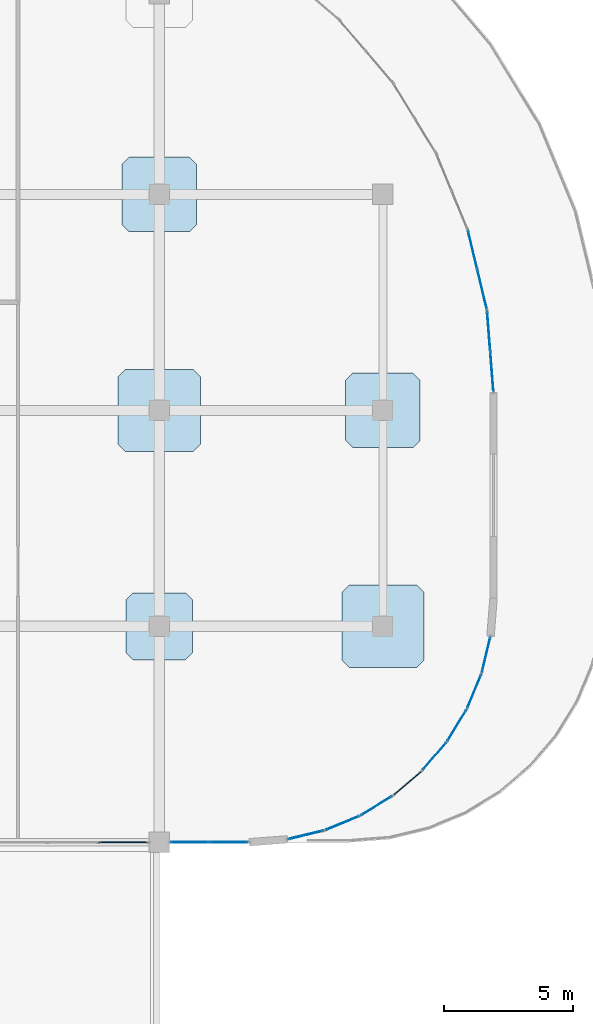
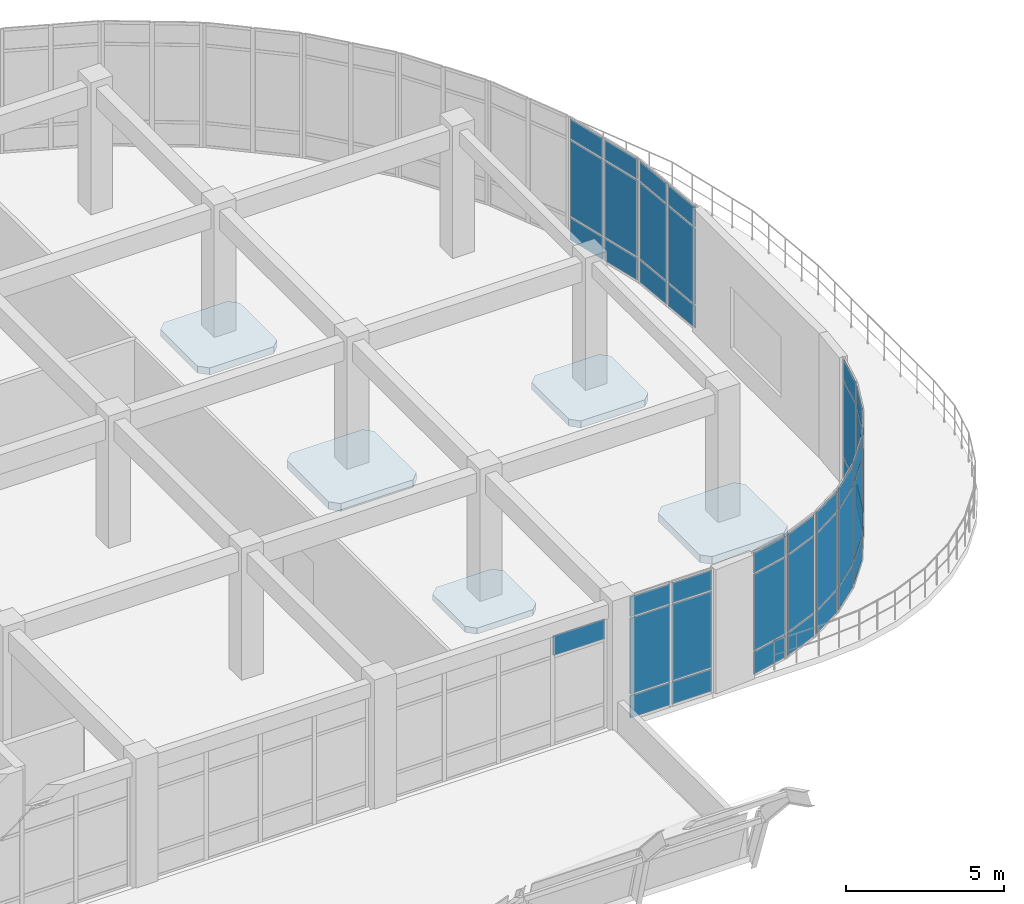
# One storey, part 102 of 124: 43 plates, 5 slabs, 12 elements without a shape of their own.
"""IFC4 building model written with IfcOpenShell, lengths in metres."""

from ifc_helpers import new_model, si_unit, derived_unit, direction, frame, origin, origin_2d, place, context, subcontext, project, spatial, polyline, rectangle, outline, extrude, material, layer, layer_set, type_object, element, aggregate, save


model = new_model("IFC4")

# Units and contexts
model_context = context("Model", 3, precision=1e-05, world=origin(), true_north=direction((0.0, 1.0)))
body_context = subcontext(model_context, "Body", "Model", "MODEL_VIEW")
ifc_project = project(units=[si_unit("LENGTHUNIT", "METRE"), si_unit("AREAUNIT", "SQUARE_METRE"), si_unit("VOLUMEUNIT", "CUBIC_METRE"), si_unit("PLANEANGLEUNIT", "RADIAN"), si_unit("MASSUNIT", "GRAM", prefix="KILO"), derived_unit("THERMALTRANSMITTANCEUNIT", [(si_unit("MASSUNIT", "GRAM", prefix="KILO"), 1), (si_unit("TIMEUNIT", "SECOND"), -3), (si_unit("THERMODYNAMICTEMPERATUREUNIT", "KELVIN"), -1)])], contexts=[model_context])

# Site, building, storey
site_placement = place(None, origin())
site = spatial("IfcSite", under=ifc_project, at=site_placement, CompositionType="ELEMENT")
building_placement = place(site_placement, origin())
building = spatial("IfcBuilding", under=site, at=building_placement, Name="Qinzheling Arcade Emporium", CompositionType="ELEMENT")
storey_placement = place(building_placement, frame((0.0, 0.0, 16.5)))
storey = spatial("IfcBuildingStorey", under=building, at=storey_placement, Name="L04", CompositionType="ELEMENT", Elevation=16.5)

# Slabs
ifc_material_1 = material(Name="Concrete C40", Category="concrete")
ifc_layer_1 = layer(ifc_material_1, 0.235107421875, Name="Concrete C40", Category="concrete")
ifc_layer_set_1 = layer_set([ifc_layer_1], Name="Concrete C40")
slab_type_1 = type_object("IfcSlabType", Name="Column Head Drop Panel 2600x2600x235 C40", PredefinedType="USERDEFINED", material=ifc_layer_set_1)
slab_1_placement = place(storey_placement, frame((0.0, 0.0, -0.5)))
element("IfcSlab", 1, at=slab_1_placement, inside=storey, type_object=slab_type_1, Name="Column Drop Panel DP-L04-16-K", ObjectType="DROP_PANEL", PredefinedType="USERDEFINED", context=body_context, shape_type="SweptSolid", body=[
    extrude(outline(polyline([(129.47998046875, 80.89990234375), (131.52001953125, 80.89990234375), (131.800048828125, 81.179931640625), (131.800048828125, 83.219970703125), (131.52001953125, 83.5), (129.47998046875, 83.5), (129.199951171875, 83.219970703125), (129.199951171875, 81.179931640625), (129.47998046875, 80.89990234375)])), origin(), (0.0, 0.0, 1.0), 0.235107421875),
])
ifc_layer_2 = layer(ifc_material_1, 0.27001953125, Name="Concrete C40", Category="concrete")
ifc_layer_set_2 = layer_set([ifc_layer_2], Name="Concrete C40")
slab_type_2 = type_object("IfcSlabType", Name="Column Head Drop Panel 2900x2900x270 C40", PredefinedType="USERDEFINED", material=ifc_layer_set_2)
slab_2_placement = place(storey_placement, frame((0.0, 0.0, -0.534912109375)))
element("IfcSlab", 2, at=slab_2_placement, inside=storey, type_object=slab_type_2, Name="Column Drop Panel DP-L04-16-M", ObjectType="DROP_PANEL", PredefinedType="USERDEFINED", context=body_context, shape_type="SweptSolid", body=[
    extrude(outline(polyline([(129.330078125, 97.550048828125), (131.669921875, 97.550048828125), (131.949951171875, 97.830078125), (131.949951171875, 100.169921875), (131.669921875, 100.449951171875), (129.330078125, 100.449951171875), (129.050048828125, 100.169921875), (129.050048828125, 97.830078125), (129.330078125, 97.550048828125)])), origin(), (0.0, 0.0, 1.0), 0.27001953125),
])
slab_3_placement = place(storey_placement, frame((0.0, 0.0, -0.534912109375)))
element("IfcSlab", 3, at=slab_3_placement, inside=storey, type_object=slab_type_2, Name="Column Drop Panel DP-L04-17-L", ObjectType="DROP_PANEL", PredefinedType="USERDEFINED", context=body_context, shape_type="SweptSolid", body=[
    extrude(outline(polyline([(138.030029296875, 89.14990234375), (140.3701171875, 89.14990234375), (140.64990234375, 89.429931640625), (140.64990234375, 91.77001953125), (140.3701171875, 92.050048828125), (138.030029296875, 92.050048828125), (137.75, 91.77001953125), (137.75, 89.429931640625), (138.030029296875, 89.14990234375)])), origin(), (0.0, 0.0, 1.0), 0.27001953125),
])
ifc_layer_3 = layer(ifc_material_1, 0.300048828125, Name="Concrete C40", Category="concrete")
ifc_layer_set_3 = layer_set([ifc_layer_3], Name="Concrete C40")
slab_type_3 = type_object("IfcSlabType", Name="Column Head Drop Panel 3200x3200x300 C40", PredefinedType="USERDEFINED", material=ifc_layer_set_3)
slab_4_placement = place(storey_placement, frame((0.0, 0.0, -0.56494140625)))
element("IfcSlab", 4, at=slab_4_placement, inside=storey, type_object=slab_type_3, Name="Column Drop Panel DP-L04-16-L", ObjectType="DROP_PANEL", PredefinedType="USERDEFINED", context=body_context, shape_type="SweptSolid", body=[
    extrude(outline(polyline([(129.179931640625, 89.0), (131.820068359375, 89.0), (132.10009765625, 89.280029296875), (132.10009765625, 91.919921875), (131.820068359375, 92.199951171875), (129.179931640625, 92.199951171875), (128.89990234375, 91.919921875), (128.89990234375, 89.280029296875), (129.179931640625, 89.0)])), origin(), (0.0, 0.0, 1.0), 0.300048828125),
])
slab_5_placement = place(storey_placement, frame((0.0, 0.0, -0.56494140625)))
element("IfcSlab", 5, at=slab_5_placement, inside=storey, type_object=slab_type_3, Name="Column Drop Panel DP-L04-17-K", ObjectType="DROP_PANEL", PredefinedType="USERDEFINED", context=body_context, shape_type="SweptSolid", body=[
    extrude(outline(polyline([(137.8798828125, 80.60009765625), (140.52001953125, 80.60009765625), (140.800048828125, 80.8798828125), (140.800048828125, 83.52001953125), (140.52001953125, 83.800048828125), (137.8798828125, 83.800048828125), (137.60009765625, 83.52001953125), (137.60009765625, 80.8798828125), (137.8798828125, 80.60009765625)])), origin(), (0.0, 0.0, 1.0), 0.300048828125),
])

# Curtain wall, plates
ifc_material_2 = material(Name="Anodised aluminium and solar-control double glazing", Category="aluminium")
ifc_layer_4 = layer(ifc_material_2, 0.159912109375, Name="Anodised aluminium and solar-control double glazing", Category="aluminium")
ifc_layer_set_4 = layer_set([ifc_layer_4], Name="Anodised aluminium and solar-control double glazing")
curtain_wall_type_1 = type_object("IfcCurtainWallType", Name="Curved Ribbon Sales Curtain Wall", PredefinedType="NOTDEFINED", material=ifc_layer_set_4)
curtain_wall_1_placement = place(storey_placement, origin())
curtain_wall_1 = element("IfcCurtainWall", 6, at=curtain_wall_1_placement, inside=storey, type_object=curtain_wall_type_1, Name="Curtain Wall CW-L04-272", PredefinedType="NOTDEFINED")
ifc_material_3 = material(Name="Laminated solar-control double glazing", Category="glass")
ifc_layer_5 = layer(ifc_material_3, 0.02490234375, Name="Laminated solar-control double glazing", Category="glass")
ifc_layer_set_5 = layer_set([ifc_layer_5], Name="Laminated solar-control double glazing")
plate_type_1 = type_object("IfcPlateType", Name="Low-E Double Glazed Curtain Panel 25mm", PredefinedType="CURTAIN_PANEL", material=ifc_layer_set_5)
plate_1_placement = place(storey_placement, frame((142.688232421875, 96.83837890625, 0.06005859375), z_axis=(0.0, 0.0, 1.0), x_axis=(0.233455251725, -0.972367546477, 0.0)))
plate_1 = element("IfcPlate", 7, at=plate_1_placement, type_object=plate_type_1, Name="CW02 panel 1.1", PredefinedType="CURTAIN_PANEL", context=body_context, shape_type="SweptSolid", body=[
    extrude(rectangle(XDim=1.5185546875, YDim=0.02490234375, at=origin_2d()), origin(), (0.0, 0.0, 1.0), 0.860107421875),
])
plate_2_placement = place(storey_placement, frame((142.688232421875, 96.83837890625, 0.97998046875), z_axis=(0.0, 0.0, 1.0), x_axis=(0.233455251725, -0.972367546477, 0.0)))
plate_2 = element("IfcPlate", 8, at=plate_2_placement, type_object=plate_type_1, Name="CW02 panel 1.2", PredefinedType="CURTAIN_PANEL", context=body_context, shape_type="SweptSolid", body=[
    extrude(rectangle(XDim=1.5185546875, YDim=0.02490234375, at=origin_2d()), origin(), (0.0, 0.0, 1.0), 2.929931640625),
])
plate_3_placement = place(storey_placement, frame((142.688232421875, 96.83837890625, 3.97021484375), z_axis=(0.0, 0.0, 1.0), x_axis=(0.233455251725, -0.972367546477, 0.0)))
plate_3 = element("IfcPlate", 9, at=plate_3_placement, type_object=plate_type_1, Name="CW02 panel 1.3", PredefinedType="CURTAIN_PANEL", context=body_context, shape_type="SweptSolid", body=[
    extrude(rectangle(XDim=1.5185546875, YDim=0.02490234375, at=origin_2d()), origin(), (0.0, 0.0, 1.0), 0.760009765625),
])
plate_4_placement = place(storey_placement, frame((143.056640625, 95.303466796875, 0.06005859375), z_axis=(0.0, 0.0, 1.0), x_axis=(0.233455251725, -0.972367546477, 0.0)))
plate_4 = element("IfcPlate", 10, at=plate_4_placement, type_object=plate_type_1, Name="CW02 panel 2.1", PredefinedType="CURTAIN_PANEL", context=body_context, shape_type="SweptSolid", body=[
    extrude(rectangle(XDim=1.5185546875, YDim=0.02490234375, at=origin_2d()), origin(), (0.0, 0.0, 1.0), 0.860107421875),
])
plate_5_placement = place(storey_placement, frame((143.056640625, 95.303466796875, 0.97998046875), z_axis=(0.0, 0.0, 1.0), x_axis=(0.233455251725, -0.972367546477, 0.0)))
plate_5 = element("IfcPlate", 11, at=plate_5_placement, type_object=plate_type_1, Name="CW02 panel 2.2", PredefinedType="CURTAIN_PANEL", context=body_context, shape_type="SweptSolid", body=[
    extrude(rectangle(XDim=1.5185546875, YDim=0.02490234375, at=origin_2d()), origin(), (0.0, 0.0, 1.0), 2.929931640625),
])
plate_6_placement = place(storey_placement, frame((143.056640625, 95.303466796875, 3.97021484375), z_axis=(0.0, 0.0, 1.0), x_axis=(0.233455251725, -0.972367546477, 0.0)))
plate_6 = element("IfcPlate", 12, at=plate_6_placement, type_object=plate_type_1, Name="CW02 panel 2.3", PredefinedType="CURTAIN_PANEL", context=body_context, shape_type="SweptSolid", body=[
    extrude(rectangle(XDim=1.5185546875, YDim=0.02490234375, at=origin_2d()), origin(), (0.0, 0.0, 1.0), 0.760009765625),
])
aggregate(curtain_wall_1, [plate_1, plate_2, plate_3, plate_4, plate_5, plate_6])

curtain_wall_2_placement = place(storey_placement, origin())
curtain_wall_2 = element("IfcCurtainWall", 13, at=curtain_wall_2_placement, inside=storey, type_object=curtain_wall_type_1, Name="Curtain Wall CW-L04-273", PredefinedType="NOTDEFINED")
ifc_layer_6 = layer(ifc_material_3, 0.02587890625, Name="Laminated solar-control double glazing", Category="glass")
ifc_layer_set_6 = layer_set([ifc_layer_6], Name="Laminated solar-control double glazing")
plate_type_2 = type_object("IfcPlateType", Name="Low-E Double Glazed Curtain Panel 26mm", PredefinedType="CURTAIN_PANEL", material=ifc_layer_set_6)
plate_7_placement = place(storey_placement, frame((143.312255859375, 93.690185546875, 0.06005859375), z_axis=(0.0, 0.0, 1.0), x_axis=(0.078336637005, -0.996926963876, 0.0)))
plate_7 = element("IfcPlate", 14, at=plate_7_placement, type_object=plate_type_2, Name="CW02 panel 1.1", PredefinedType="CURTAIN_PANEL", context=body_context, shape_type="SweptSolid", body=[
    extrude(rectangle(XDim=1.5185546875, YDim=0.02587890625, at=origin_2d()), origin(), (0.0, 0.0, 1.0), 0.860107421875),
])
plate_8_placement = place(storey_placement, frame((143.312255859375, 93.690185546875, 0.97998046875), z_axis=(0.0, 0.0, 1.0), x_axis=(0.078336637005, -0.996926963876, 0.0)))
plate_8 = element("IfcPlate", 15, at=plate_8_placement, type_object=plate_type_2, Name="CW02 panel 1.2", PredefinedType="CURTAIN_PANEL", context=body_context, shape_type="SweptSolid", body=[
    extrude(rectangle(XDim=1.5185546875, YDim=0.02587890625, at=origin_2d()), origin(), (0.0, 0.0, 1.0), 2.929931640625),
])
plate_9_placement = place(storey_placement, frame((143.312255859375, 93.690185546875, 3.97021484375), z_axis=(0.0, 0.0, 1.0), x_axis=(0.078336637005, -0.996926963876, 0.0)))
plate_9 = element("IfcPlate", 16, at=plate_9_placement, type_object=plate_type_2, Name="CW02 panel 1.3", PredefinedType="CURTAIN_PANEL", context=body_context, shape_type="SweptSolid", body=[
    extrude(rectangle(XDim=1.5185546875, YDim=0.02587890625, at=origin_2d()), origin(), (0.0, 0.0, 1.0), 0.760009765625),
])
plate_10_placement = place(storey_placement, frame((143.435791015625, 92.11669921875, 0.06005859375), z_axis=(0.0, 0.0, 1.0), x_axis=(0.078336637005, -0.996926963876, 0.0)))
plate_10 = element("IfcPlate", 17, at=plate_10_placement, type_object=plate_type_2, Name="CW02 panel 2.1", PredefinedType="CURTAIN_PANEL", context=body_context, shape_type="SweptSolid", body=[
    extrude(rectangle(XDim=1.5185546875, YDim=0.02587890625, at=origin_2d()), origin(), (0.0, 0.0, 1.0), 0.860107421875),
])
plate_11_placement = place(storey_placement, frame((143.435791015625, 92.11669921875, 0.97998046875), z_axis=(0.0, 0.0, 1.0), x_axis=(0.078336637005, -0.996926963876, 0.0)))
plate_11 = element("IfcPlate", 18, at=plate_11_placement, type_object=plate_type_2, Name="CW02 panel 2.2", PredefinedType="CURTAIN_PANEL", context=body_context, shape_type="SweptSolid", body=[
    extrude(rectangle(XDim=1.5185546875, YDim=0.02587890625, at=origin_2d()), origin(), (0.0, 0.0, 1.0), 2.929931640625),
])
plate_12_placement = place(storey_placement, frame((143.435791015625, 92.11669921875, 3.97021484375), z_axis=(0.0, 0.0, 1.0), x_axis=(0.078336637005, -0.996926963876, 0.0)))
plate_12 = element("IfcPlate", 19, at=plate_12_placement, type_object=plate_type_2, Name="CW02 panel 2.3", PredefinedType="CURTAIN_PANEL", context=body_context, shape_type="SweptSolid", body=[
    extrude(rectangle(XDim=1.5185546875, YDim=0.02587890625, at=origin_2d()), origin(), (0.0, 0.0, 1.0), 0.760009765625),
])
aggregate(curtain_wall_2, [plate_7, plate_8, plate_9, plate_10, plate_11, plate_12])

curtain_wall_3_placement = place(storey_placement, origin())
curtain_wall_3 = element("IfcCurtainWall", 20, at=curtain_wall_3_placement, inside=storey, type_object=curtain_wall_type_1, Name="Curtain Wall CW-L04-274", PredefinedType="NOTDEFINED")
ifc_layer_7 = layer(ifc_material_3, 0.027099609375, Name="Laminated solar-control double glazing", Category="glass")
ifc_layer_set_7 = layer_set([ifc_layer_7], Name="Laminated solar-control double glazing")
plate_type_3 = type_object("IfcPlateType", Name="Low-E Double Glazed Curtain Panel 27mm", PredefinedType="CURTAIN_PANEL", material=ifc_layer_set_7)
plate_13_placement = place(storey_placement, frame((143.208984375, 81.089111328125, 0.06005859375), z_axis=(0.0, 0.0, 1.0), x_axis=(-0.233372952479, -0.97238730198, 0.0)))
plate_13 = element("IfcPlate", 21, at=plate_13_placement, type_object=plate_type_3, Name="CW02 panel 1.1", PredefinedType="CURTAIN_PANEL", context=body_context, shape_type="SweptSolid", body=[
    extrude(rectangle(XDim=1.37109375, YDim=0.027099609375, at=origin_2d()), origin(), (0.0, 0.0, 1.0), 0.860107421875),
])
plate_14_placement = place(storey_placement, frame((143.208984375, 81.089111328125, 0.97998046875), z_axis=(0.0, 0.0, 1.0), x_axis=(-0.233372952479, -0.97238730198, 0.0)))
plate_14 = element("IfcPlate", 22, at=plate_14_placement, type_object=plate_type_3, Name="CW02 panel 1.2", PredefinedType="CURTAIN_PANEL", context=body_context, shape_type="SweptSolid", body=[
    extrude(rectangle(XDim=1.37109375, YDim=0.027099609375, at=origin_2d()), origin(), (0.0, 0.0, 1.0), 2.929931640625),
])
plate_15_placement = place(storey_placement, frame((143.208984375, 81.089111328125, 3.97021484375), z_axis=(0.0, 0.0, 1.0), x_axis=(-0.233372952479, -0.97238730198, 0.0)))
plate_15 = element("IfcPlate", 23, at=plate_15_placement, type_object=plate_type_3, Name="CW02 panel 1.3", PredefinedType="CURTAIN_PANEL", context=body_context, shape_type="SweptSolid", body=[
    extrude(rectangle(XDim=1.37109375, YDim=0.027099609375, at=origin_2d()), origin(), (0.0, 0.0, 1.0), 0.760009765625),
])
aggregate(curtain_wall_3, [plate_13, plate_14, plate_15])

curtain_wall_4_placement = place(storey_placement, origin())
curtain_wall_4 = element("IfcCurtainWall", 24, at=curtain_wall_4_placement, inside=storey, type_object=curtain_wall_type_1, Name="Curtain Wall CW-L04-275", PredefinedType="NOTDEFINED")
ifc_layer_8 = layer(ifc_material_3, 0.028076171875, Name="Laminated solar-control double glazing", Category="glass")
ifc_layer_set_8 = layer_set([ifc_layer_8], Name="Laminated solar-control double glazing")
plate_type_4 = type_object("IfcPlateType", Name="Low-E Double Glazed Curtain Panel 28mm", PredefinedType="CURTAIN_PANEL", material=ifc_layer_set_8)
plate_16_placement = place(storey_placement, frame((142.75, 79.675537109375, 0.06005859375), z_axis=(0.0, 0.0, 1.0), x_axis=(-0.382470321658, -0.923967777063, 0.0)))
plate_16 = element("IfcPlate", 25, at=plate_16_placement, type_object=plate_type_4, Name="CW02 panel 1.1", PredefinedType="CURTAIN_PANEL", context=body_context, shape_type="SweptSolid", body=[
    extrude(rectangle(XDim=1.370361328125, YDim=0.028076171875, at=origin_2d()), origin(), (0.0, 0.0, 1.0), 0.860107421875),
])
plate_17_placement = place(storey_placement, frame((142.75, 79.675537109375, 0.97998046875), z_axis=(0.0, 0.0, 1.0), x_axis=(-0.382470321658, -0.923967777063, 0.0)))
plate_17 = element("IfcPlate", 26, at=plate_17_placement, type_object=plate_type_4, Name="CW02 panel 1.2", PredefinedType="CURTAIN_PANEL", context=body_context, shape_type="SweptSolid", body=[
    extrude(rectangle(XDim=1.370361328125, YDim=0.028076171875, at=origin_2d()), origin(), (0.0, 0.0, 1.0), 2.929931640625),
])
plate_18_placement = place(storey_placement, frame((142.75, 79.675537109375, 3.97021484375), z_axis=(0.0, 0.0, 1.0), x_axis=(-0.382470321658, -0.923967777063, 0.0)))
plate_18 = element("IfcPlate", 27, at=plate_18_placement, type_object=plate_type_4, Name="CW02 panel 1.3", PredefinedType="CURTAIN_PANEL", context=body_context, shape_type="SweptSolid", body=[
    extrude(rectangle(XDim=1.370361328125, YDim=0.028076171875, at=origin_2d()), origin(), (0.0, 0.0, 1.0), 0.760009765625),
])
aggregate(curtain_wall_4, [plate_16, plate_17, plate_18])

curtain_wall_5_placement = place(storey_placement, origin())
curtain_wall_5 = element("IfcCurtainWall", 28, at=curtain_wall_5_placement, inside=storey, type_object=curtain_wall_type_1, Name="Curtain Wall CW-L04-276", PredefinedType="NOTDEFINED")
ifc_layer_9 = layer(ifc_material_3, 0.029052734375, Name="Laminated solar-control double glazing", Category="glass")
ifc_layer_set_9 = layer_set([ifc_layer_9], Name="Laminated solar-control double glazing")
plate_type_5 = type_object("IfcPlateType", Name="Low-E Double Glazed Curtain Panel 29mm", PredefinedType="CURTAIN_PANEL", material=ifc_layer_set_9)
plate_19_placement = place(storey_placement, frame((142.075439453125, 78.3515625, 0.06005859375), z_axis=(0.0, 0.0, 1.0), x_axis=(-0.522562057926, -0.852601252413, 0.0)))
plate_19 = element("IfcPlate", 29, at=plate_19_placement, type_object=plate_type_5, Name="CW02 panel 1.1", PredefinedType="CURTAIN_PANEL", context=body_context, shape_type="SweptSolid", body=[
    extrude(rectangle(XDim=1.370849609375, YDim=0.029052734375, at=origin_2d()), origin(), (0.0, 0.0, 1.0), 0.860107421875),
])
plate_20_placement = place(storey_placement, frame((142.075439453125, 78.3515625, 0.97998046875), z_axis=(0.0, 0.0, 1.0), x_axis=(-0.522562057926, -0.852601252413, 0.0)))
plate_20 = element("IfcPlate", 30, at=plate_20_placement, type_object=plate_type_5, Name="CW02 panel 1.2", PredefinedType="CURTAIN_PANEL", context=body_context, shape_type="SweptSolid", body=[
    extrude(rectangle(XDim=1.370849609375, YDim=0.029052734375, at=origin_2d()), origin(), (0.0, 0.0, 1.0), 2.929931640625),
])
plate_21_placement = place(storey_placement, frame((142.075439453125, 78.3515625, 3.97021484375), z_axis=(0.0, 0.0, 1.0), x_axis=(-0.522562057926, -0.852601252413, 0.0)))
plate_21 = element("IfcPlate", 31, at=plate_21_placement, type_object=plate_type_5, Name="CW02 panel 1.3", PredefinedType="CURTAIN_PANEL", context=body_context, shape_type="SweptSolid", body=[
    extrude(rectangle(XDim=1.370849609375, YDim=0.029052734375, at=origin_2d()), origin(), (0.0, 0.0, 1.0), 0.760009765625),
])
aggregate(curtain_wall_5, [plate_19, plate_20, plate_21])

curtain_wall_6_placement = place(storey_placement, origin())
curtain_wall_6 = element("IfcCurtainWall", 32, at=curtain_wall_6_placement, inside=storey, type_object=curtain_wall_type_1, Name="Curtain Wall CW-L04-277", PredefinedType="NOTDEFINED")
ifc_layer_10 = layer(ifc_material_3, 0.030029296875, Name="Laminated solar-control double glazing", Category="glass")
ifc_layer_set_10 = layer_set([ifc_layer_10], Name="Laminated solar-control double glazing")
plate_type_6 = type_object("IfcPlateType", Name="Low-E Double Glazed Curtain Panel 30mm", PredefinedType="CURTAIN_PANEL", material=ifc_layer_set_10)
plate_22_placement = place(storey_placement, frame((141.201904296875, 77.14892578125, 0.06005859375), z_axis=(0.0, 0.0, 1.0), x_axis=(-0.649243454095, -0.760580657994, 0.0)))
plate_22 = element("IfcPlate", 33, at=plate_22_placement, type_object=plate_type_6, Name="CW02 panel 1.1", PredefinedType="CURTAIN_PANEL", context=body_context, shape_type="SweptSolid", body=[
    extrude(rectangle(XDim=1.370849609375, YDim=0.030029296875, at=origin_2d()), origin(), (0.0, 0.0, 1.0), 0.860107421875),
])
plate_23_placement = place(storey_placement, frame((141.201904296875, 77.14892578125, 0.97998046875), z_axis=(0.0, 0.0, 1.0), x_axis=(-0.649243454095, -0.760580657994, 0.0)))
plate_23 = element("IfcPlate", 34, at=plate_23_placement, type_object=plate_type_6, Name="CW02 panel 1.2", PredefinedType="CURTAIN_PANEL", context=body_context, shape_type="SweptSolid", body=[
    extrude(rectangle(XDim=1.370849609375, YDim=0.030029296875, at=origin_2d()), origin(), (0.0, 0.0, 1.0), 2.929931640625),
])
plate_24_placement = place(storey_placement, frame((141.201904296875, 77.14892578125, 3.97021484375), z_axis=(0.0, 0.0, 1.0), x_axis=(-0.649243454095, -0.760580657994, 0.0)))
plate_24 = element("IfcPlate", 35, at=plate_24_placement, type_object=plate_type_6, Name="CW02 panel 1.3", PredefinedType="CURTAIN_PANEL", context=body_context, shape_type="SweptSolid", body=[
    extrude(rectangle(XDim=1.370849609375, YDim=0.030029296875, at=origin_2d()), origin(), (0.0, 0.0, 1.0), 0.760009765625),
])
aggregate(curtain_wall_6, [plate_22, plate_23, plate_24])

curtain_wall_7_placement = place(storey_placement, origin())
curtain_wall_7 = element("IfcCurtainWall", 36, at=curtain_wall_7_placement, inside=storey, type_object=curtain_wall_type_1, Name="Curtain Wall CW-L04-278", PredefinedType="NOTDEFINED")
ifc_layer_11 = layer(ifc_material_3, 0.031005859375, Name="Laminated solar-control double glazing", Category="glass")
ifc_layer_set_11 = layer_set([ifc_layer_11], Name="Laminated solar-control double glazing")
plate_type_7 = type_object("IfcPlateType", Name="Low-E Double Glazed Curtain Panel 31mm", PredefinedType="CURTAIN_PANEL", material=ifc_layer_set_11)
plate_25_placement = place(storey_placement, frame((140.15087890625, 76.097900390625, 0.06005859375), z_axis=(0.0, 0.0, 1.0), x_axis=(-0.760580657994, -0.649243454095, 0.0)))
plate_25 = element("IfcPlate", 37, at=plate_25_placement, type_object=plate_type_7, Name="CW02 panel 1.1", PredefinedType="CURTAIN_PANEL", context=body_context, shape_type="SweptSolid", body=[
    extrude(rectangle(XDim=1.370849609375, YDim=0.031005859375, at=origin_2d()), origin(), (0.0, 0.0, 1.0), 0.860107421875),
])
plate_26_placement = place(storey_placement, frame((140.15087890625, 76.097900390625, 0.97998046875), z_axis=(0.0, 0.0, 1.0), x_axis=(-0.760580657994, -0.649243454095, 0.0)))
plate_26 = element("IfcPlate", 38, at=plate_26_placement, type_object=plate_type_7, Name="CW02 panel 1.2", PredefinedType="CURTAIN_PANEL", context=body_context, shape_type="SweptSolid", body=[
    extrude(rectangle(XDim=1.370849609375, YDim=0.031005859375, at=origin_2d()), origin(), (0.0, 0.0, 1.0), 2.929931640625),
])
plate_27_placement = place(storey_placement, frame((140.15087890625, 76.097900390625, 3.97021484375), z_axis=(0.0, 0.0, 1.0), x_axis=(-0.760580657994, -0.649243454095, 0.0)))
plate_27 = element("IfcPlate", 39, at=plate_27_placement, type_object=plate_type_7, Name="CW02 panel 1.3", PredefinedType="CURTAIN_PANEL", context=body_context, shape_type="SweptSolid", body=[
    extrude(rectangle(XDim=1.370849609375, YDim=0.031005859375, at=origin_2d()), origin(), (0.0, 0.0, 1.0), 0.760009765625),
])
aggregate(curtain_wall_7, [plate_25, plate_26, plate_27])

curtain_wall_8_placement = place(storey_placement, origin())
curtain_wall_8 = element("IfcCurtainWall", 40, at=curtain_wall_8_placement, inside=storey, type_object=curtain_wall_type_1, Name="Curtain Wall CW-L04-279", PredefinedType="NOTDEFINED")
ifc_layer_12 = layer(ifc_material_3, 0.031982421875, Name="Laminated solar-control double glazing", Category="glass")
ifc_layer_set_12 = layer_set([ifc_layer_12], Name="Laminated solar-control double glazing")
plate_type_8 = type_object("IfcPlateType", Name="Low-E Double Glazed Curtain Panel 32mm", PredefinedType="CURTAIN_PANEL", material=ifc_layer_set_12)
plate_28_placement = place(storey_placement, frame((138.948486328125, 75.224609375, 0.06005859375), z_axis=(0.0, 0.0, 1.0), x_axis=(-0.852601252413, -0.522562057926, 0.0)))
plate_28 = element("IfcPlate", 41, at=plate_28_placement, type_object=plate_type_8, Name="CW02 panel 1.1", PredefinedType="CURTAIN_PANEL", context=body_context, shape_type="SweptSolid", body=[
    extrude(rectangle(XDim=1.370849609375, YDim=0.031982421875, at=origin_2d()), origin(), (0.0, 0.0, 1.0), 0.860107421875),
])
plate_29_placement = place(storey_placement, frame((138.948486328125, 75.224609375, 0.97998046875), z_axis=(0.0, 0.0, 1.0), x_axis=(-0.852601252413, -0.522562057926, 0.0)))
plate_29 = element("IfcPlate", 42, at=plate_29_placement, type_object=plate_type_8, Name="CW02 panel 1.2", PredefinedType="CURTAIN_PANEL", context=body_context, shape_type="SweptSolid", body=[
    extrude(rectangle(XDim=1.370849609375, YDim=0.031982421875, at=origin_2d()), origin(), (0.0, 0.0, 1.0), 2.929931640625),
])
plate_30_placement = place(storey_placement, frame((138.948486328125, 75.224609375, 3.97021484375), z_axis=(0.0, 0.0, 1.0), x_axis=(-0.852601252413, -0.522562057926, 0.0)))
plate_30 = element("IfcPlate", 43, at=plate_30_placement, type_object=plate_type_8, Name="CW02 panel 1.3", PredefinedType="CURTAIN_PANEL", context=body_context, shape_type="SweptSolid", body=[
    extrude(rectangle(XDim=1.370849609375, YDim=0.031982421875, at=origin_2d()), origin(), (0.0, 0.0, 1.0), 0.760009765625),
])
aggregate(curtain_wall_8, [plate_28, plate_29, plate_30])

curtain_wall_9_placement = place(storey_placement, origin())
curtain_wall_9 = element("IfcCurtainWall", 44, at=curtain_wall_9_placement, inside=storey, type_object=curtain_wall_type_1, Name="Curtain Wall CW-L04-280", PredefinedType="NOTDEFINED")
ifc_layer_13 = layer(ifc_material_3, 0.033935546875, Name="Laminated solar-control double glazing", Category="glass")
ifc_layer_set_13 = layer_set([ifc_layer_13], Name="Laminated solar-control double glazing")
plate_type_9 = type_object("IfcPlateType", Name="Low-E Double Glazed Curtain Panel 34mm", PredefinedType="CURTAIN_PANEL", material=ifc_layer_set_13)
plate_31_placement = place(storey_placement, frame((137.62451171875, 74.550048828125, 0.06005859375), z_axis=(0.0, 0.0, 1.0), x_axis=(-0.923967777063, -0.382470321658, 0.0)))
plate_31 = element("IfcPlate", 45, at=plate_31_placement, type_object=plate_type_9, Name="CW02 panel 1.1", PredefinedType="CURTAIN_PANEL", context=body_context, shape_type="SweptSolid", body=[
    extrude(rectangle(XDim=1.370361328125, YDim=0.033935546875, at=origin_2d()), origin(), (0.0, 0.0, 1.0), 0.860107421875),
])
plate_32_placement = place(storey_placement, frame((137.62451171875, 74.550048828125, 0.97998046875), z_axis=(0.0, 0.0, 1.0), x_axis=(-0.923967777063, -0.382470321658, 0.0)))
plate_32 = element("IfcPlate", 46, at=plate_32_placement, type_object=plate_type_9, Name="CW02 panel 1.2", PredefinedType="CURTAIN_PANEL", context=body_context, shape_type="SweptSolid", body=[
    extrude(rectangle(XDim=1.370361328125, YDim=0.033935546875, at=origin_2d()), origin(), (0.0, 0.0, 1.0), 2.929931640625),
])
plate_33_placement = place(storey_placement, frame((137.62451171875, 74.550048828125, 3.97021484375), z_axis=(0.0, 0.0, 1.0), x_axis=(-0.923967777063, -0.382470321658, 0.0)))
plate_33 = element("IfcPlate", 47, at=plate_33_placement, type_object=plate_type_9, Name="CW02 panel 1.3", PredefinedType="CURTAIN_PANEL", context=body_context, shape_type="SweptSolid", body=[
    extrude(rectangle(XDim=1.370361328125, YDim=0.033935546875, at=origin_2d()), origin(), (0.0, 0.0, 1.0), 0.760009765625),
])
aggregate(curtain_wall_9, [plate_31, plate_32, plate_33])

curtain_wall_10_placement = place(storey_placement, origin())
curtain_wall_10 = element("IfcCurtainWall", 48, at=curtain_wall_10_placement, inside=storey, type_object=curtain_wall_type_1, Name="Curtain Wall CW-L04-281", PredefinedType="NOTDEFINED")
ifc_layer_14 = layer(ifc_material_3, 0.035888671875, Name="Laminated solar-control double glazing", Category="glass")
ifc_layer_set_14 = layer_set([ifc_layer_14], Name="Laminated solar-control double glazing")
plate_type_10 = type_object("IfcPlateType", Name="Low-E Double Glazed Curtain Panel 36mm", PredefinedType="CURTAIN_PANEL", material=ifc_layer_set_14)
plate_34_placement = place(storey_placement, frame((136.2109375, 74.091064453125, 0.06005859375), z_axis=(0.0, 0.0, 1.0), x_axis=(-0.97238730198, -0.233372952479, 0.0)))
plate_34 = element("IfcPlate", 49, at=plate_34_placement, type_object=plate_type_10, Name="CW02 panel 1.1", PredefinedType="CURTAIN_PANEL", context=body_context, shape_type="SweptSolid", body=[
    extrude(rectangle(XDim=1.37109375, YDim=0.035888671875, at=origin_2d()), origin(), (0.0, 0.0, 1.0), 0.860107421875),
])
plate_35_placement = place(storey_placement, frame((136.2109375, 74.091064453125, 0.97998046875), z_axis=(0.0, 0.0, 1.0), x_axis=(-0.97238730198, -0.233372952479, 0.0)))
plate_35 = element("IfcPlate", 50, at=plate_35_placement, type_object=plate_type_10, Name="CW02 panel 1.2", PredefinedType="CURTAIN_PANEL", context=body_context, shape_type="SweptSolid", body=[
    extrude(rectangle(XDim=1.37109375, YDim=0.035888671875, at=origin_2d()), origin(), (0.0, 0.0, 1.0), 2.929931640625),
])
plate_36_placement = place(storey_placement, frame((136.2109375, 74.091064453125, 3.97021484375), z_axis=(0.0, 0.0, 1.0), x_axis=(-0.97238730198, -0.233372952479, 0.0)))
plate_36 = element("IfcPlate", 51, at=plate_36_placement, type_object=plate_type_10, Name="CW02 panel 1.3", PredefinedType="CURTAIN_PANEL", context=body_context, shape_type="SweptSolid", body=[
    extrude(rectangle(XDim=1.37109375, YDim=0.035888671875, at=origin_2d()), origin(), (0.0, 0.0, 1.0), 0.760009765625),
])
aggregate(curtain_wall_10, [plate_34, plate_35, plate_36])

ifc_layer_15 = layer(ifc_material_2, 0.159912109375, Name="Anodised aluminium and solar-control double glazing", Category="aluminium")
ifc_layer_set_15 = layer_set([ifc_layer_15], Name="Anodised aluminium and solar-control double glazing")
curtain_wall_type_2 = type_object("IfcCurtainWallType", Name="Arcade Portal Glazed Curtain Wall", PredefinedType="NOTDEFINED", material=ifc_layer_set_15)
curtain_wall_11_placement = place(storey_placement, origin())
curtain_wall_11 = element("IfcCurtainWall", 52, at=curtain_wall_11_placement, inside=storey, type_object=curtain_wall_type_2, Name="Curtain Wall CW-L04-282", PredefinedType="NOTDEFINED")
ifc_layer_16 = layer(ifc_material_3, 0.0380859375, Name="Laminated solar-control double glazing", Category="glass")
ifc_layer_set_16 = layer_set([ifc_layer_16], Name="Laminated solar-control double glazing")
plate_type_11 = type_object("IfcPlateType", Name="Low-E Double Glazed Curtain Panel 38mm", PredefinedType="CURTAIN_PANEL", material=ifc_layer_set_16)
plate_37_placement = place(storey_placement, frame((133.21044921875, 73.800048828125, 0.06005859375), z_axis=(0.0, 0.0, 1.0), x_axis=(-1.0, 0.0, 0.0)))
plate_37 = element("IfcPlate", 53, at=plate_37_placement, type_object=plate_type_11, Name="CW05 panel 1.1", PredefinedType="CURTAIN_PANEL", context=body_context, shape_type="SweptSolid", body=[
    extrude(rectangle(XDim=1.458984375, YDim=0.0380859375, at=origin_2d()), origin(), (0.0, 0.0, 1.0), 0.860107421875),
])
plate_38_placement = place(storey_placement, frame((133.21044921875, 73.800048828125, 0.97998046875), z_axis=(0.0, 0.0, 1.0), x_axis=(-1.0, 0.0, 0.0)))
plate_38 = element("IfcPlate", 54, at=plate_38_placement, type_object=plate_type_11, Name="CW05 panel 1.2", PredefinedType="CURTAIN_PANEL", context=body_context, shape_type="SweptSolid", body=[
    extrude(rectangle(XDim=1.458984375, YDim=0.0380859375, at=origin_2d()), origin(), (0.0, 0.0, 1.0), 2.929931640625),
])
plate_39_placement = place(storey_placement, frame((133.21044921875, 73.800048828125, 3.97021484375), z_axis=(0.0, 0.0, 1.0), x_axis=(-1.0, 0.0, 0.0)))
plate_39 = element("IfcPlate", 55, at=plate_39_placement, type_object=plate_type_11, Name="CW05 panel 1.3", PredefinedType="CURTAIN_PANEL", context=body_context, shape_type="SweptSolid", body=[
    extrude(rectangle(XDim=1.458984375, YDim=0.0380859375, at=origin_2d()), origin(), (0.0, 0.0, 1.0), 0.760009765625),
])
plate_40_placement = place(storey_placement, frame((131.69140625, 73.800048828125, 0.06005859375), z_axis=(0.0, 0.0, 1.0), x_axis=(-1.0, 0.0, 0.0)))
plate_40 = element("IfcPlate", 56, at=plate_40_placement, type_object=plate_type_11, Name="CW05 panel 2.1", PredefinedType="CURTAIN_PANEL", context=body_context, shape_type="SweptSolid", body=[
    extrude(rectangle(XDim=1.458984375, YDim=0.0380859375, at=origin_2d()), origin(), (0.0, 0.0, 1.0), 0.860107421875),
])
plate_41_placement = place(storey_placement, frame((131.69140625, 73.800048828125, 0.97998046875), z_axis=(0.0, 0.0, 1.0), x_axis=(-1.0, 0.0, 0.0)))
plate_41 = element("IfcPlate", 57, at=plate_41_placement, type_object=plate_type_11, Name="CW05 panel 2.2", PredefinedType="CURTAIN_PANEL", context=body_context, shape_type="SweptSolid", body=[
    extrude(rectangle(XDim=1.458984375, YDim=0.0380859375, at=origin_2d()), origin(), (0.0, 0.0, 1.0), 2.929931640625),
])
plate_42_placement = place(storey_placement, frame((131.69140625, 73.800048828125, 3.97021484375), z_axis=(0.0, 0.0, 1.0), x_axis=(-1.0, 0.0, 0.0)))
plate_42 = element("IfcPlate", 58, at=plate_42_placement, type_object=plate_type_11, Name="CW05 panel 2.3", PredefinedType="CURTAIN_PANEL", context=body_context, shape_type="SweptSolid", body=[
    extrude(rectangle(XDim=1.458984375, YDim=0.0380859375, at=origin_2d()), origin(), (0.0, 0.0, 1.0), 0.760009765625),
])
aggregate(curtain_wall_11, [plate_37, plate_38, plate_39, plate_40, plate_41, plate_42])

# Curtain wall, plate
curtain_wall_12_placement = place(storey_placement, origin())
curtain_wall_12 = element("IfcCurtainWall", 59, at=curtain_wall_12_placement, inside=storey, type_object=curtain_wall_type_2, Name="Curtain Wall CW-L04-283", PredefinedType="NOTDEFINED")
ifc_layer_17 = layer(ifc_material_3, 0.0400390625, Name="Laminated solar-control double glazing", Category="glass")
ifc_layer_set_17 = layer_set([ifc_layer_17], Name="Laminated solar-control double glazing")
plate_type_12 = type_object("IfcPlateType", Name="Low-E Double Glazed Curtain Panel 40mm", PredefinedType="CURTAIN_PANEL", material=ifc_layer_set_17)
plate_43_placement = place(storey_placement, frame((129.095947265625, 73.800048828125, 3.4501953125), z_axis=(0.0, 0.0, 1.0), x_axis=(-1.0, 0.0, 0.0)))
plate_43 = element("IfcPlate", 60, at=plate_43_placement, type_object=plate_type_12, Name="CW05 panel 1.3", PredefinedType="CURTAIN_PANEL", context=body_context, shape_type="SweptSolid", body=[
    extrude(rectangle(XDim=1.884033203125, YDim=0.0400390625, at=origin_2d()), origin(), (0.0, 0.0, 1.0), 0.760009765625),
])
aggregate(curtain_wall_12, [plate_43])

save(model, "model.ifc")
